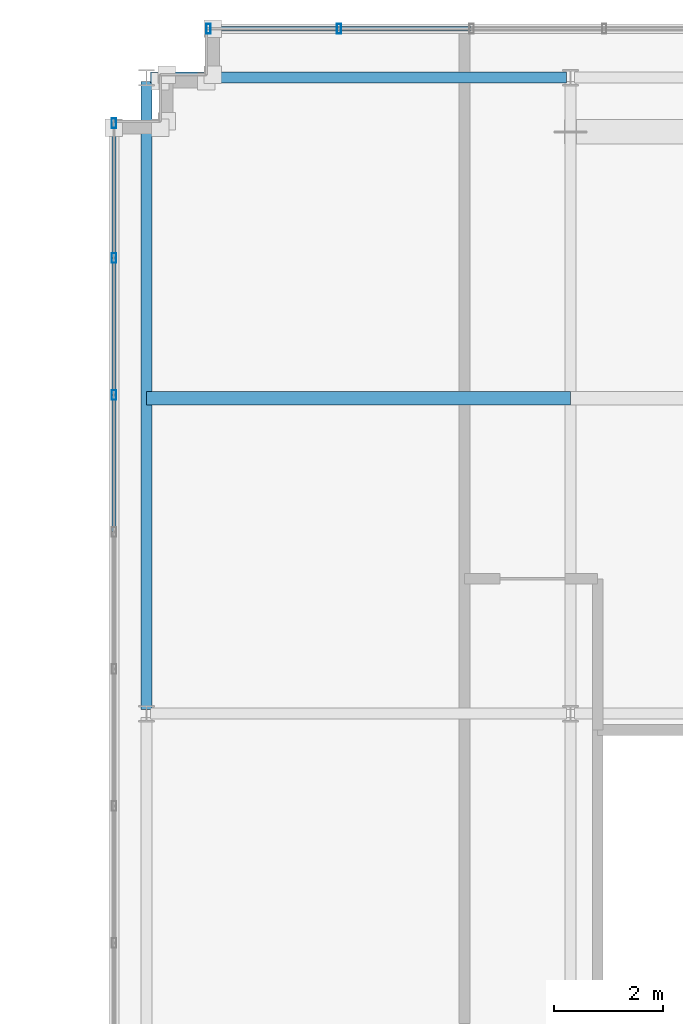
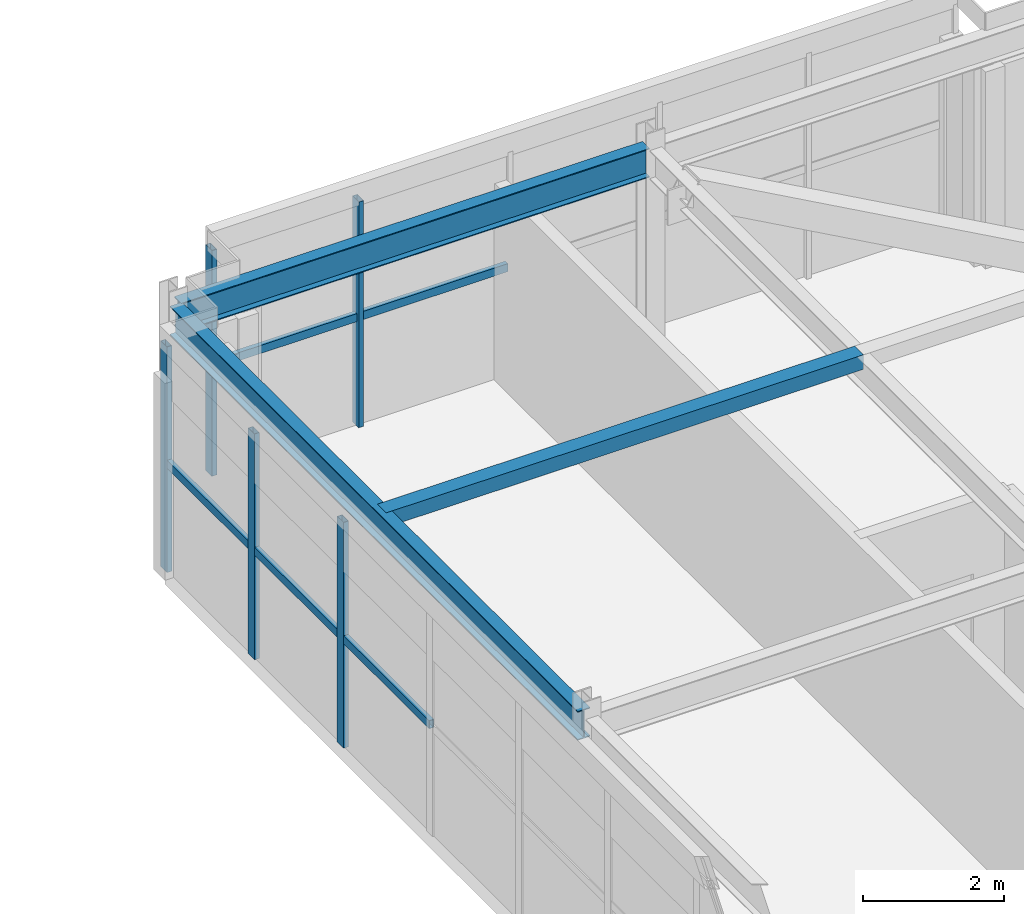
# One storey, part 16 of 25: 11 members, 2 beams, 2 elements without a shape of their own.
"""IFC4 building model written with IfcOpenShell, lengths in metres."""

from ifc_helpers import new_model, si_unit, direction, frame, origin, origin_2d, place, context, subcontext, project, spatial, hollow_rectangle, i_section, extrude, source, transform, mapped, material, material_profile, profile_set, type_object, element, aggregate, save


model = new_model("IFC4")

# Units and contexts
model_context = context("Model", 3, precision=1e-05, world=origin(), true_north=direction((0.0, 1.0)))
body_context = subcontext(model_context, "Body", "Model", "MODEL_VIEW")
ifc_project = project(units=[si_unit("LENGTHUNIT", "METRE"), si_unit("AREAUNIT", "SQUARE_METRE"), si_unit("VOLUMEUNIT", "CUBIC_METRE"), si_unit("PLANEANGLEUNIT", "RADIAN"), si_unit("MASSUNIT", "GRAM", prefix="KILO")], contexts=[model_context])

# Site, building, storey
site_placement = place(None, origin())
site = spatial("IfcSite", under=ifc_project, at=site_placement, CompositionType="ELEMENT")
building_placement = place(site_placement, origin())
building = spatial("IfcBuilding", under=site, at=building_placement, Name="Trelvane Seafront Commons", CompositionType="ELEMENT")
storey_placement = place(building_placement, frame((0.0, 0.0, 320.89990234375)))
storey = spatial("IfcBuildingStorey", under=building, at=storey_placement, Name="L83", CompositionType="ELEMENT", Elevation=320.89990234375)

# Beams
ifc_material_1 = material(Name="Steel SM355 (S355)", Category="steel")
ifc_material_profile_1 = material_profile(ifc_material_1, i_section(OverallWidth=0.199951171875, OverallDepth=0.5, WebThickness=0.010009765625, FlangeThickness=0.01611328125, at=origin_2d()), Name="H-500x200x10x16")
ifc_profile_set_1 = profile_set([ifc_material_profile_1], Name="Steel SM355 (S355)")
beam_type_1 = type_object("IfcBeamType", Name="STR-CROWN-FRAME-RING", PredefinedType="SPANDREL", material=ifc_profile_set_1)
shared_shape_1 = source(origin(), body_context, "Body", "SweptSolid", [
    extrude(i_section(OverallWidth=0.199951171875, OverallDepth=0.5, WebThickness=0.010009765625, FlangeThickness=0.01611328125, at=origin_2d()), origin(), (0.0, 0.0, 1.0), 7.650146484375),
])
beam_1_placement = place(storey_placement, frame((51.074951171875, 45.10009765625, 3.650146484375), z_axis=(1.0, 0.0, 0.0), x_axis=(0.0, 1.0, 0.0)))
element("IfcBeam", 1, at=beam_1_placement, inside=storey, type_object=beam_type_1, Name="L83 CROWN FRAME Ring Beam G-11", PredefinedType="SPANDREL", context=body_context, shape_type="MappedRepresentation", body=[
    mapped(shared_shape_1, transform((0.0, 0.0, 0.0), x_axis=(1.0, 0.0, 0.0), y_axis=(0.0, 1.0, 0.0), z_axis=(0.0, 0.0, 1.0), scale=1.0)),
])
ifc_material_profile_2 = material_profile(ifc_material_1, i_section(OverallWidth=0.199951171875, OverallDepth=0.5, WebThickness=0.010009765625, FlangeThickness=0.01611328125, at=origin_2d()), Name="H-500x200x10x16")
ifc_profile_set_2 = profile_set([ifc_material_profile_2], Name="Steel SM355 (S355)")
beam_type_2 = type_object("IfcBeamType", Name="STR-BM-H500", PredefinedType="BEAM", material=ifc_profile_set_2)
shared_shape_2 = source(origin(), body_context, "Body", "SweptSolid", [
    extrude(i_section(OverallWidth=0.199951171875, OverallDepth=0.5, WebThickness=0.010009765625, FlangeThickness=0.01611328125, at=origin_2d()), origin(), (0.0, 0.0, 1.0), 11.5498046875),
])
beam_2_placement = place(storey_placement, frame((51.0, 33.47509765625, 3.650146484375), z_axis=(0.0, 1.0, 0.0), x_axis=(-1.0, 0.0, 0.0)))
element("IfcBeam", 2, at=beam_2_placement, inside=storey, type_object=beam_type_2, Name="L83 Primary Girder G-20", PredefinedType="BEAM", context=body_context, shape_type="MappedRepresentation", body=[
    mapped(shared_shape_2, transform((0.0, 0.0, 0.0), x_axis=(1.0, 0.0, 0.0), y_axis=(0.0, 1.0, 0.0), z_axis=(0.0, 0.0, 1.0), scale=1.0)),
])

# Member
ifc_material_profile_3 = material_profile(ifc_material_1, hollow_rectangle(XDim=0.25, YDim=0.25, WallThickness=0.010009765625, at=origin_2d()), Name="RHS-250x250x10")
ifc_profile_set_3 = profile_set([ifc_material_profile_3], Name="Steel SM355 (S355)")
member_type_1 = type_object("IfcMemberType", Name="STR-PUR-RHS250", PredefinedType="PURLIN", material=ifc_profile_set_3)
shared_shape_3 = source(origin(), body_context, "Body", "SweptSolid", [
    extrude(hollow_rectangle(XDim=0.25, YDim=0.25, WallThickness=0.010009765625, at=origin_2d()), origin(), (0.0, 0.0, 1.0), 7.800048828125),
])
member_1_placement = place(storey_placement, frame((51.0, 39.199951171875, 3.775146484375), z_axis=(1.0, 0.0, 0.0), x_axis=(0.0, 1.0, 0.0)))
element("IfcMember", 3, at=member_1_placement, inside=storey, type_object=member_type_1, Name="L83 Crown Roof Purlin PR-1", PredefinedType="PURLIN", context=body_context, shape_type="MappedRepresentation", body=[
    mapped(shared_shape_3, transform((0.0, 0.0, 0.0), x_axis=(1.0, 0.0, 0.0), y_axis=(0.0, 1.0, 0.0), z_axis=(0.0, 0.0, 1.0), scale=1.0)),
])

# Curtain wall, members
ifc_material_2 = material(Name="Anodised pale-silver aluminium", Category="aluminium")
curtain_wall_type = type_object("IfcCurtainWallType", Name="ARCH-CW6-CROWN", PredefinedType="NOTDEFINED", material=ifc_material_2)
curtain_wall_1_placement = place(storey_placement, origin())
curtain_wall_1 = element("IfcCurtainWall", 4, at=curtain_wall_1_placement, inside=storey, type_object=curtain_wall_type, Name="CW-L83-0164", PredefinedType="NOTDEFINED")
ifc_material_profile_4 = material_profile(ifc_material_2, hollow_rectangle(XDim=0.080078125, YDim=0.179931640625, WallThickness=0.00439453125, at=origin_2d()), Name="MULL-80x180x4.5")
ifc_profile_set_4 = profile_set([ifc_material_profile_4], Name="Anodised pale-silver aluminium")
member_type_2 = type_object("IfcMemberType", Name="ARCH-CW-MULL-180", PredefinedType="MULLION", material=ifc_profile_set_4)
shared_shape_4 = source(origin(), body_context, "Body", "SweptSolid", [
    extrude(hollow_rectangle(XDim=0.080078125, YDim=0.179931640625, WallThickness=0.00439453125, at=origin_2d()), origin(), (0.0, 0.0, 1.0), 3.900146484375),
])
member_2_placement = place(storey_placement, frame((50.39990234375, 39.260009765625, 0.0), z_axis=(0.0, 0.0, 1.0), x_axis=(1.0, 0.0, 0.0)))
member_2 = element("IfcMember", 5, at=member_2_placement, type_object=member_type_2, Name="CW-L83-0164-M08", PredefinedType="MULLION", context=body_context, shape_type="MappedRepresentation", body=[
    mapped(shared_shape_4, transform((0.0, 0.0, 0.0), x_axis=(1.0, 0.0, 0.0), y_axis=(0.0, 1.0, 0.0), z_axis=(0.0, 0.0, 1.0), scale=1.0)),
])
member_3_placement = place(storey_placement, frame((50.39990234375, 41.780029296875, 0.0), z_axis=(0.0, 0.0, 1.0), x_axis=(1.0, 0.0, 0.0)))
member_3 = element("IfcMember", 6, at=member_3_placement, type_object=member_type_2, Name="CW-L83-0164-M09", PredefinedType="MULLION", context=body_context, shape_type="MappedRepresentation", body=[
    mapped(shared_shape_4, transform((0.0, 0.0, 0.0), x_axis=(1.0, 0.0, 0.0), y_axis=(0.0, 1.0, 0.0), z_axis=(0.0, 0.0, 1.0), scale=1.0)),
])
member_4_placement = place(storey_placement, frame((50.39990234375, 44.260009765625, 0.0), z_axis=(0.0, 0.0, 1.0), x_axis=(1.0, 0.0, 0.0)))
member_4 = element("IfcMember", 7, at=member_4_placement, type_object=member_type_2, Name="CW-L83-0164-M10", PredefinedType="MULLION", context=body_context, shape_type="MappedRepresentation", body=[
    mapped(shared_shape_4, transform((0.0, 0.0, 0.0), x_axis=(1.0, 0.0, 0.0), y_axis=(0.0, 1.0, 0.0), z_axis=(0.0, 0.0, 1.0), scale=1.0)),
])

curtain_wall_2_placement = place(storey_placement, origin())
curtain_wall_2 = element("IfcCurtainWall", 8, at=curtain_wall_2_placement, inside=storey, type_object=curtain_wall_type, Name="CW-L83-0165", PredefinedType="NOTDEFINED")
member_5_placement = place(storey_placement, frame((52.139892578125, 46.0, 0.0), z_axis=(0.0, 0.0, 1.0), x_axis=(1.0, 0.0, 0.0)))
member_5 = element("IfcMember", 9, at=member_5_placement, type_object=member_type_2, Name="CW-L83-0165-M00", PredefinedType="MULLION", context=body_context, shape_type="MappedRepresentation", body=[
    mapped(shared_shape_4, transform((0.0, 0.0, 0.0), x_axis=(1.0, 0.0, 0.0), y_axis=(0.0, 1.0, 0.0), z_axis=(0.0, 0.0, 1.0), scale=1.0)),
])
member_6_placement = place(storey_placement, frame((54.5400390625, 46.0, 0.0), z_axis=(0.0, 0.0, 1.0), x_axis=(1.0, 0.0, 0.0)))
member_6 = element("IfcMember", 10, at=member_6_placement, type_object=member_type_2, Name="CW-L83-0165-M01", PredefinedType="MULLION", context=body_context, shape_type="MappedRepresentation", body=[
    mapped(shared_shape_4, transform((0.0, 0.0, 0.0), x_axis=(1.0, 0.0, 0.0), y_axis=(0.0, 1.0, 0.0), z_axis=(0.0, 0.0, 1.0), scale=1.0)),
])

# Member
ifc_material_profile_5 = material_profile(ifc_material_2, hollow_rectangle(XDim=0.074951171875, YDim=0.139892578125, WallThickness=0.00390625, at=origin_2d()), Name="TRAN-75x140x4")
ifc_profile_set_5 = profile_set([ifc_material_profile_5], Name="Anodised pale-silver aluminium")
member_type_3 = type_object("IfcMemberType", Name="ARCH-CW-TRAN-140", PredefinedType="USERDEFINED", material=ifc_profile_set_5)
shared_shape_5 = source(origin(), body_context, "Body", "SweptSolid", [
    extrude(hollow_rectangle(XDim=0.074951171875, YDim=0.139892578125, WallThickness=0.00390625, at=origin_2d()), origin(), (0.0, 0.0, 1.0), 2.49609375),
])
member_7_placement = place(storey_placement, frame((50.39990234375, 36.751953125, 1.8720703125), z_axis=(0.0, 1.0, 0.0), x_axis=(-1.0, 0.0, 0.0)))
member_7 = element("IfcMember", 11, at=member_7_placement, type_object=member_type_3, Name="CW-L83-0164-T07", ObjectType="TRANSOM", PredefinedType="USERDEFINED", context=body_context, shape_type="MappedRepresentation", body=[
    mapped(shared_shape_5, transform((0.0, 0.0, 0.0), x_axis=(1.0, 0.0, 0.0), y_axis=(0.0, 1.0, 0.0), z_axis=(0.0, 0.0, 1.0), scale=1.0)),
])

member_8_placement = place(storey_placement, frame((50.39990234375, 39.27197265625, 1.8720703125), z_axis=(0.0, 1.0, 0.0), x_axis=(-1.0, 0.0, 0.0)))
member_8 = element("IfcMember", 12, at=member_8_placement, type_object=member_type_3, Name="CW-L83-0164-T08", ObjectType="TRANSOM", PredefinedType="USERDEFINED", context=body_context, shape_type="MappedRepresentation", body=[
    mapped(shared_shape_5, transform((0.0, 0.0, 0.0), x_axis=(1.0, 0.0, 0.0), y_axis=(0.0, 1.0, 0.0), z_axis=(0.0, 0.0, 1.0), scale=1.0)),
])

member_9_placement = place(storey_placement, frame((50.39990234375, 41.7919921875, 1.8720703125), z_axis=(0.0, 1.0, 0.0), x_axis=(-1.0, 0.0, 0.0)))
member_9 = element("IfcMember", 13, at=member_9_placement, type_object=member_type_3, Name="CW-L83-0164-T09", ObjectType="TRANSOM", PredefinedType="USERDEFINED", context=body_context, shape_type="MappedRepresentation", body=[
    mapped(shared_shape_5, transform((0.0, 0.0, 0.0), x_axis=(1.0, 0.0, 0.0), y_axis=(0.0, 1.0, 0.0), z_axis=(0.0, 0.0, 1.0), scale=1.0)),
])

aggregate(curtain_wall_1, [member_2, member_3, member_4, member_7, member_8, member_9])

shared_shape_6 = source(origin(), body_context, "Body", "SweptSolid", [
    extrude(hollow_rectangle(XDim=0.074951171875, YDim=0.139892578125, WallThickness=0.00390625, at=origin_2d()), origin(), (0.0, 0.0, 1.0), 2.416015625),
])
member_10_placement = place(storey_placement, frame((52.112060546875, 46.0, 1.8720703125), z_axis=(1.0, 0.0, 0.0), x_axis=(0.0, 1.0, 0.0)))
member_10 = element("IfcMember", 14, at=member_10_placement, type_object=member_type_3, Name="CW-L83-0165-T00", ObjectType="TRANSOM", PredefinedType="USERDEFINED", context=body_context, shape_type="MappedRepresentation", body=[
    mapped(shared_shape_6, transform((0.0, 0.0, 0.0), x_axis=(1.0, 0.0, 0.0), y_axis=(0.0, 1.0, 0.0), z_axis=(0.0, 0.0, 1.0), scale=1.0)),
])

member_11_placement = place(storey_placement, frame((54.552001953125, 46.0, 1.8720703125), z_axis=(1.0, 0.0, 0.0), x_axis=(0.0, 1.0, 0.0)))
member_11 = element("IfcMember", 15, at=member_11_placement, type_object=member_type_3, Name="CW-L83-0165-T01", ObjectType="TRANSOM", PredefinedType="USERDEFINED", context=body_context, shape_type="MappedRepresentation", body=[
    mapped(shared_shape_6, transform((0.0, 0.0, 0.0), x_axis=(1.0, 0.0, 0.0), y_axis=(0.0, 1.0, 0.0), z_axis=(0.0, 0.0, 1.0), scale=1.0)),
])

aggregate(curtain_wall_2, [member_5, member_6, member_10, member_11])

save(model, "model.ifc")
